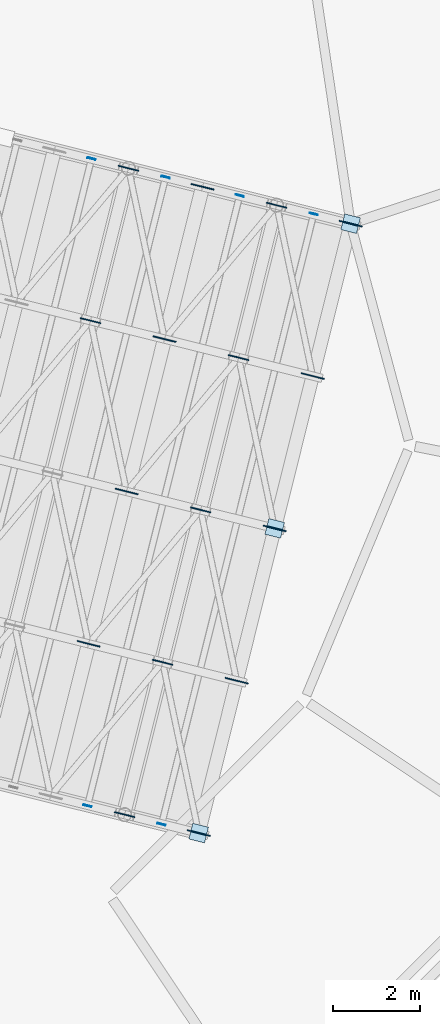
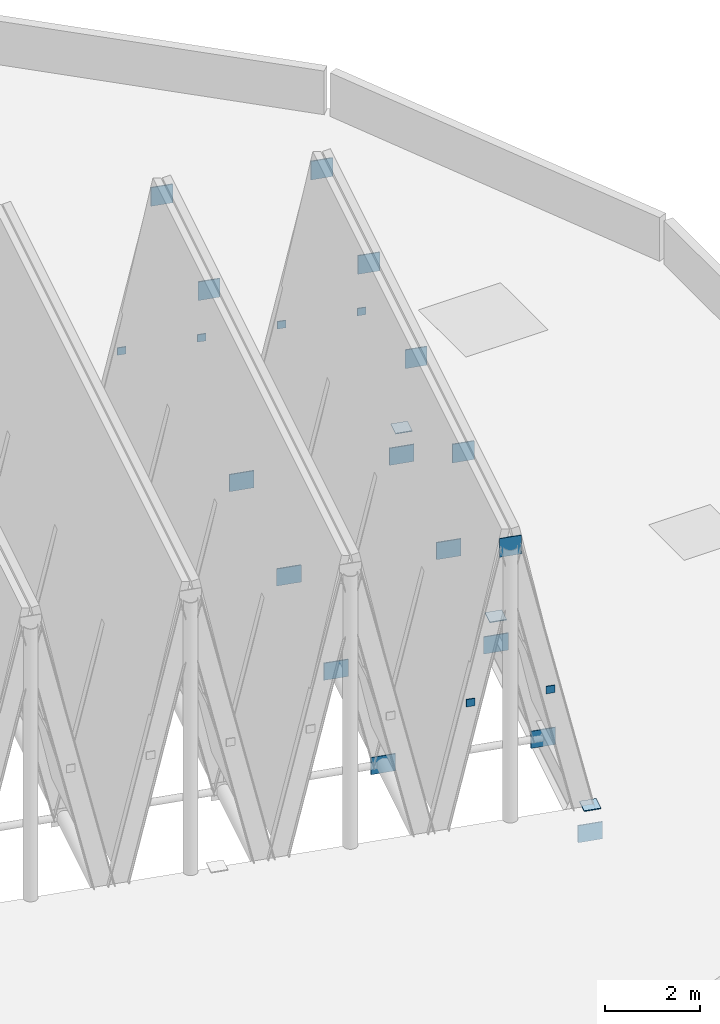
# One storey, part 30 of 51: 25 plates.
"""IFC4 building model written with IfcOpenShell, lengths in metres."""

from ifc_helpers import new_model, si_unit, direction, frame, origin, origin_2d, place, context, subcontext, project, spatial, rectangle, extrude, material, layer, layer_set, type_object, element, save


model = new_model("IFC4")

# Units and contexts
model_context = context("Model", 3, precision=1e-05, world=origin(), true_north=direction((0.0, 1.0)))
body_context = subcontext(model_context, "Body", "Model", "MODEL_VIEW")
ifc_project = project(units=[si_unit("LENGTHUNIT", "METRE"), si_unit("AREAUNIT", "SQUARE_METRE"), si_unit("VOLUMEUNIT", "CUBIC_METRE"), si_unit("PLANEANGLEUNIT", "RADIAN"), si_unit("MASSUNIT", "GRAM", prefix="KILO")], contexts=[model_context])

# Site, building, storey
site_placement = place(None, origin())
site = spatial("IfcSite", under=ifc_project, at=site_placement, CompositionType="ELEMENT")
building_placement = place(site_placement, origin())
building = spatial("IfcBuilding", under=site, at=building_placement, Name="Wrenclough Park School", CompositionType="ELEMENT")
storey_placement = place(building_placement, frame((0.0, 0.0, 16.800048828125)))
storey = spatial("IfcBuildingStorey", under=building, at=storey_placement, Name="L04", CompositionType="ELEMENT", Elevation=16.800048828125)

# Plates
ifc_material = material(Name="Structural steel S355", Category="steel")
ifc_layer_1 = layer(ifc_material, 0.18994140625)
ifc_layer_set_1 = layer_set([ifc_layer_1], Name="Structural steel S355")
plate_type_1 = type_object("IfcPlateType", Name="STR-PL-EP150", PredefinedType="SHEET", material=ifc_layer_set_1)
for number, where, z_axis, x_axis, name in (
    (1, (164.087646484375, 29.9150390625, 3.066162109375), (0.0, 0.0, 1.0), (0.2419218956, 0.970295726276, 0.0), "D1 purlin 6L N welded sealing end-cap plate"),
    (2, (165.78564453125, 29.49169921875, 3.066162109375), (0.0, 0.0, 1.0), (0.2419218956, 0.970295726276, 0.0), "D1 purlin 6R N welded sealing end-cap plate"),
    (3, (163.99462890625, 15.07470703125, 3.066162109375), (0.0, 0.0, 1.0), (0.2419218956, 0.970295726276, 0.0), "D1 purlin 7L S welded sealing end-cap plate"),
    (4, (167.483642578125, 29.068359375, 3.066162109375), (0.0, 0.0, 1.0), (0.2419218956, 0.970295726276, 0.0), "D1 purlin 7L N welded sealing end-cap plate"),
    (5, (165.692626953125, 14.6513671875, 3.066162109375), (0.0, 0.0, 1.0), (0.2419218956, 0.970295726276, 0.0), "D1 purlin 7R S welded sealing end-cap plate"),
    (6, (169.181640625, 28.64501953125, 3.066162109375), (0.0, 0.0, 1.0), (0.2419218956, 0.970295726276, 0.0), "D1 purlin 7R N welded sealing end-cap plate"),
):
    element("IfcPlate", number, at=place(storey_placement, frame(where, z_axis=z_axis, x_axis=x_axis)), inside=storey, type_object=plate_type_1, Name=name, PredefinedType="SHEET", context=body_context, shape_type="SweptSolid", body=[
        extrude(rectangle(XDim=0.02197265625, YDim=0.18994140625, at=origin_2d()), origin(), (0.0, 0.0, 1.0), 0.18994140625),
    ])
ifc_layer_2 = layer(ifc_material, 0.02197265625)
ifc_layer_set_2 = layer_set([ifc_layer_2], Name="Structural steel S355")
plate_type_2 = type_object("IfcPlateType", Name="STR-PL-EP324", PredefinedType="SHEET", material=ifc_layer_set_2)
for number, where, z_axis, x_axis, name in (
    (7, (166.544189453125, 14.4501953125, 0.0), (0.0, 0.0, 1.0), (0.970295726276, -0.2419218956, 0.0), "Hollow steel column top sealing cap plate D1HR-3-0"),
    (8, (168.2861328125, 21.4365234375, 0.0), (0.0, 0.0, 1.0), (0.970295726276, -0.2419218956, 0.0), "Hollow steel column top sealing cap plate D1HR-3-1"),
    (9, (170.028076171875, 28.422607421875, 0.0), (0.0, 0.0, 1.0), (0.970295726276, -0.2419218956, 0.0), "Hollow steel column top sealing cap plate D1HR-3-2"),
):
    element("IfcPlate", number, at=place(storey_placement, frame(where, z_axis=z_axis, x_axis=x_axis)), inside=storey, type_object=plate_type_2, Name=name, PredefinedType="SHEET", context=body_context, shape_type="SweptSolid", body=[
        extrude(rectangle(XDim=0.3701171875, YDim=0.3701171875, at=origin_2d()), origin(), (0.0, 0.0, 1.0), 0.02197265625),
    ])
ifc_layer_3 = layer(ifc_material, 0.02490234375)
ifc_layer_set_3 = layer_set([ifc_layer_3], Name="Structural steel S355")
plate_type_3 = type_object("IfcPlateType", Name="STR-PL-KN1", PredefinedType="USERDEFINED", material=ifc_layer_set_3)
for number, where, z_axis, x_axis, name in (
    (10, (164.06298828125, 26.19970703125, 6.762451171875), (0.0, 0.0, 1.0), (0.970295726276, -0.2419218956, 0.0), "D1 ridge apex gusset plate 6.4"),
    (11, (164.933837890625, 29.692626953125, 6.762451171875), (0.0, 0.0, 1.0), (0.970295726276, -0.2419218956, 0.0), "D1 ridge apex gusset plate 6.5"),
    (12, (164.84619140625, 14.873779296875, 6.762451171875), (0.0, 0.0, 1.0), (0.970295726276, -0.2419218956, 0.0), "D1 ridge apex gusset plate 7.1"),
    (13, (165.71728515625, 18.36669921875, 6.762451171875), (0.0, 0.0, 1.0), (0.970295726276, -0.2419218956, 0.0), "D1 ridge apex gusset plate 7.2"),
    (14, (166.588134765625, 21.85986328125, 6.762451171875), (0.0, 0.0, 1.0), (0.970295726276, -0.2419218956, 0.0), "D1 ridge apex gusset plate 7.3"),
    (15, (167.458984375, 25.352783203125, 6.762451171875), (0.0, 0.0, 1.0), (0.970295726276, -0.2419218956, 0.0), "D1 ridge apex gusset plate 7.4"),
    (16, (168.329833984375, 28.845947265625, 6.762451171875), (0.0, 0.0, 1.0), (0.970295726276, -0.2419218956, 0.0), "D1 ridge apex gusset plate 7.5"),
):
    element("IfcPlate", number, at=place(storey_placement, frame(where, z_axis=z_axis, x_axis=x_axis)), inside=storey, type_object=plate_type_3, Name=name, ObjectType="GUSSET PLATE", PredefinedType="USERDEFINED", context=body_context, shape_type="SweptSolid", body=[
        extrude(rectangle(XDim=0.47998046875, YDim=0.02490234375, at=origin_2d()), origin(), (0.0, 0.0, 1.0), 0.47998046875),
    ])
ifc_layer_4 = layer(ifc_material, 0.02490234375)
ifc_layer_set_4 = layer_set([ifc_layer_4], Name="Structural steel S355")
plate_type_4 = type_object("IfcPlateType", Name="STR-PL-KN2", PredefinedType="USERDEFINED", material=ifc_layer_set_4)
for number, where, z_axis, x_axis, name in (
    (17, (166.544189453125, 14.4501953125, -0.900146484375), (0.0, 0.0, 1.0), (0.970295726276, -0.2419218956, 0.0), "D1 east eave valley node gusset plate 1"),
    (18, (164.019287109375, 18.7900390625, -0.900146484375), (0.0, 0.0, 1.0), (0.970295726276, -0.2419218956, 0.0), "D1 valley node gusset plate 7.2"),
    (19, (167.415283203125, 17.943359375, -0.900146484375), (0.0, 0.0, 1.0), (0.970295726276, -0.2419218956, 0.0), "D1 east eave valley node gusset plate 2"),
    (20, (164.89013671875, 22.283203125, -0.900146484375), (0.0, 0.0, 1.0), (0.970295726276, -0.2419218956, 0.0), "D1 valley node gusset plate 7.3"),
    (21, (168.2861328125, 21.4365234375, -0.900146484375), (0.0, 0.0, 1.0), (0.970295726276, -0.2419218956, 0.0), "D1 east eave valley node gusset plate 3"),
    (22, (165.760986328125, 25.776123046875, -0.900146484375), (0.0, 0.0, 1.0), (0.970295726276, -0.2419218956, 0.0), "D1 valley node gusset plate 7.4"),
    (23, (169.156982421875, 24.929443359375, -0.900146484375), (0.0, 0.0, 1.0), (0.970295726276, -0.2419218956, 0.0), "D1 east eave valley node gusset plate 4"),
    (24, (166.6318359375, 29.269287109375, -0.900146484375), (0.0, 0.0, 1.0), (0.970295726276, -0.2419218956, 0.0), "D1 valley node gusset plate 7.5"),
    (25, (170.028076171875, 28.422607421875, -0.900146484375), (0.0, 0.0, 1.0), (0.970295726276, -0.2419218956, 0.0), "D1 east eave valley node gusset plate 5"),
):
    element("IfcPlate", number, at=place(storey_placement, frame(where, z_axis=z_axis, x_axis=x_axis)), inside=storey, type_object=plate_type_4, Name=name, ObjectType="GUSSET PLATE", PredefinedType="USERDEFINED", context=body_context, shape_type="SweptSolid", body=[
        extrude(rectangle(XDim=0.5400390625, YDim=0.02490234375, at=origin_2d()), origin(), (0.0, 0.0, 1.0), 0.43994140625),
    ])

save(model, "model.ifc")
